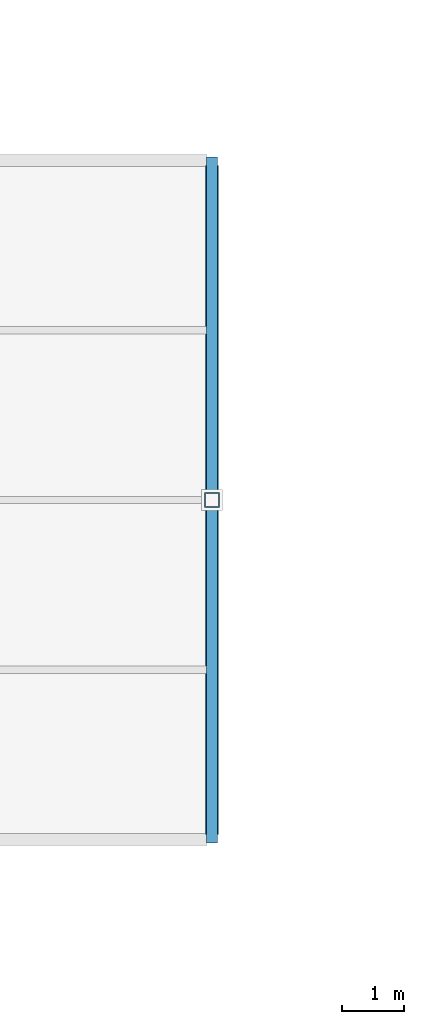
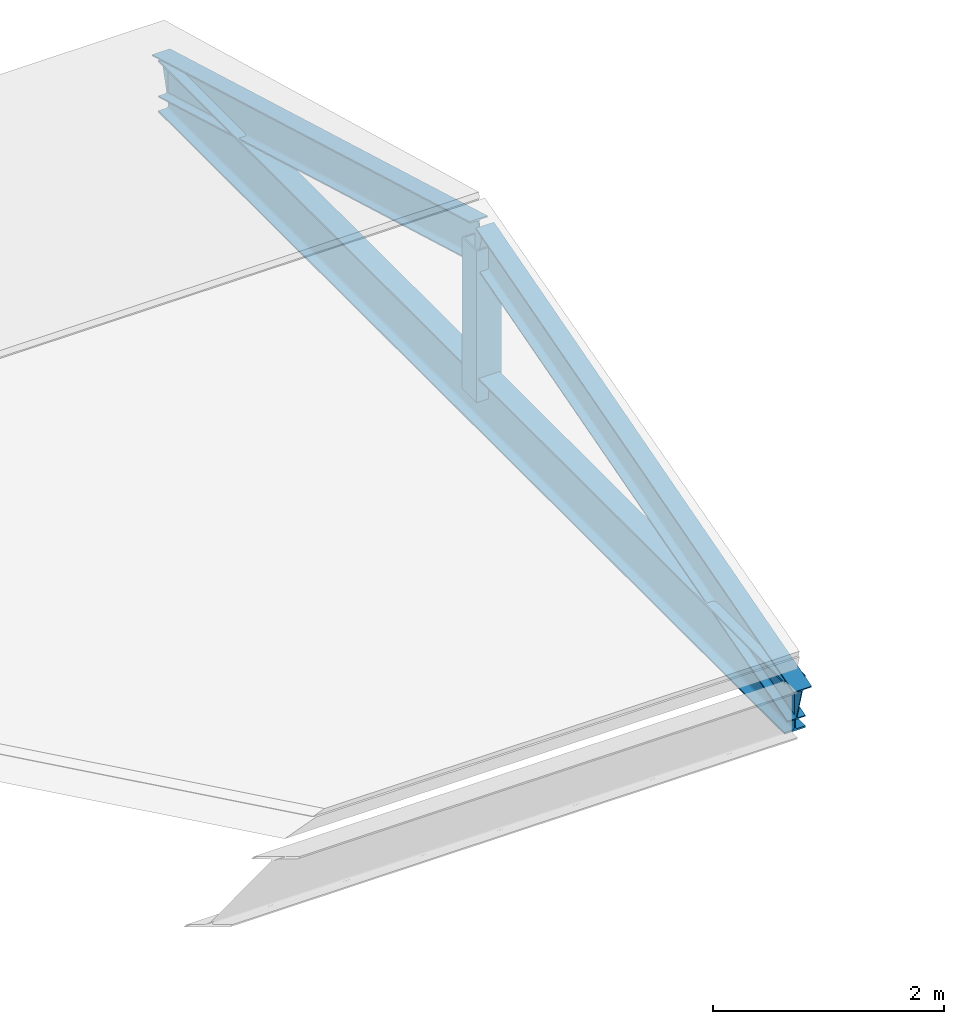
# One storey, part 90 of 179: 3 members, 1 beam.
"""IFC4 building model written with IfcOpenShell, lengths in metres."""

from ifc_helpers import new_model, si_unit, direction, frame, origin, origin_2d, place, context, subcontext, project, spatial, hollow_rectangle, i_section, extrude, material, material_profile, profile_set, type_object, element, save


model = new_model("IFC4")

# Units and contexts
model_context = context("Model", 3, precision=1e-05, world=origin(), true_north=direction((0.0, 1.0)))
body_context = subcontext(model_context, "Body", "Model", "MODEL_VIEW")
ifc_project = project(units=[si_unit("LENGTHUNIT", "METRE"), si_unit("AREAUNIT", "SQUARE_METRE"), si_unit("VOLUMEUNIT", "CUBIC_METRE"), si_unit("PLANEANGLEUNIT", "RADIAN"), si_unit("MASSUNIT", "GRAM", prefix="KILO")], contexts=[model_context])

# Site, building, storey
site_placement = place(None, origin())
site = spatial("IfcSite", under=ifc_project, at=site_placement, CompositionType="ELEMENT")
building_placement = place(site_placement, origin())
building = spatial("IfcBuilding", under=site, at=building_placement, Name="Zlatoyarsky Gate Stadium", CompositionType="ELEMENT")
storey_placement = place(building_placement, frame((0.0, 0.0, 10.60009765625)))
storey = spatial("IfcBuildingStorey", under=building, at=storey_placement, Name="L02", CompositionType="ELEMENT", Elevation=10.60009765625)

# Beam
ifc_material = material(Name="Steel S355", Category="steel")
ifc_material_profile_1 = material_profile(ifc_material, i_section(OverallWidth=0.2099609375, OverallDepth=0.550048828125, WebThickness=0.010986328125, FlangeThickness=0.01708984375, FilletRadius=0.02392578125, at=origin_2d()), Name="IPE 550")
ifc_profile_set_1 = profile_set([ifc_material_profile_1], Name="Steel S355")
beam_type = type_object("IfcBeamType", Name="STEEL FLOOR BEAM IPE 550", PredefinedType="BEAM", material=ifc_profile_set_1)
beam_placement = place(storey_placement, frame((197.5, 138.080078125, -0.55517578125), z_axis=(0.0, 1.0, 0.0), x_axis=(-1.0, 0.0, 0.0)))
element("IfcBeam", 1, at=beam_placement, inside=storey, type_object=beam_type, Name="Beam B-IPE550 BM-L02-WGY-17-N", PredefinedType="BEAM", context=body_context, shape_type="SweptSolid", body=[
    extrude(i_section(OverallWidth=0.2099609375, OverallDepth=0.550048828125, WebThickness=0.010986328125, FlangeThickness=0.01708984375, FilletRadius=0.02392578125, at=origin_2d()), origin(), (0.0, 0.0, 1.0), 10.83984375),
])

# Members
ifc_material_profile_2 = material_profile(ifc_material, i_section(OverallWidth=0.179931640625, OverallDepth=0.39990234375, WebThickness=0.008544921875, FlangeThickness=0.013427734375, FilletRadius=0.02099609375, at=origin_2d()), Name="IPE 400")
ifc_profile_set_2 = profile_set([ifc_material_profile_2], Name="Steel S355")
member_type_1 = type_object("IfcMemberType", Name="STEEL PAVILION ROOF RAFTER IPE 400", PredefinedType="RAFTER", material=ifc_profile_set_2)
for number, where, z_axis, x_axis, name in (
    (2, (197.5, 138.0, -0.5), (0.0, 0.961598006641, 0.274461789005), (-1.0, 0.0, 0.0), "V6_NE roof rafter 3A"),
    (3, (197.5, 149.0, -0.5), (0.0, -0.961598006641, 0.274461789005), (1.0, 0.0, 0.0), "V6_NE roof rafter 3B"),
):
    element("IfcMember", number, at=place(storey_placement, frame(where, z_axis=z_axis, x_axis=x_axis)), inside=storey, type_object=member_type_1, Name=name, PredefinedType="RAFTER", context=body_context, shape_type="SweptSolid", body=[
        extrude(i_section(OverallWidth=0.179931640625, OverallDepth=0.39990234375, WebThickness=0.008544921875, FlangeThickness=0.013427734375, FilletRadius=0.02099609375, at=origin_2d()), origin(), (0.0, 0.0, 1.0), 5.7197265625),
    ])
ifc_material_profile_3 = material_profile(ifc_material, hollow_rectangle(XDim=0.25, YDim=0.25, WallThickness=0.01611328125, at=origin_2d()), Name="SHS 250X250X16")
ifc_profile_set_3 = profile_set([ifc_material_profile_3], Name="Steel S355")
member_type_2 = type_object("IfcMemberType", Name="STEEL PAVILION TRUSS STRUT SHS 250X250X16", PredefinedType="STRUT", material=ifc_profile_set_3)
member_placement = place(storey_placement, frame((197.5, 143.5, -0.530029296875), z_axis=(0.0, 0.0, 1.0), x_axis=(1.0, 0.0, 0.0)))
element("IfcMember", 4, at=member_placement, inside=storey, type_object=member_type_2, Name="V6_NE king post strut 3", PredefinedType="STRUT", context=body_context, shape_type="SweptSolid", body=[
    extrude(hollow_rectangle(XDim=0.25, YDim=0.25, WallThickness=0.01611328125, at=origin_2d()), origin(), (0.0, 0.0, 1.0), 1.599853515625),
])

save(model, "model.ifc")
